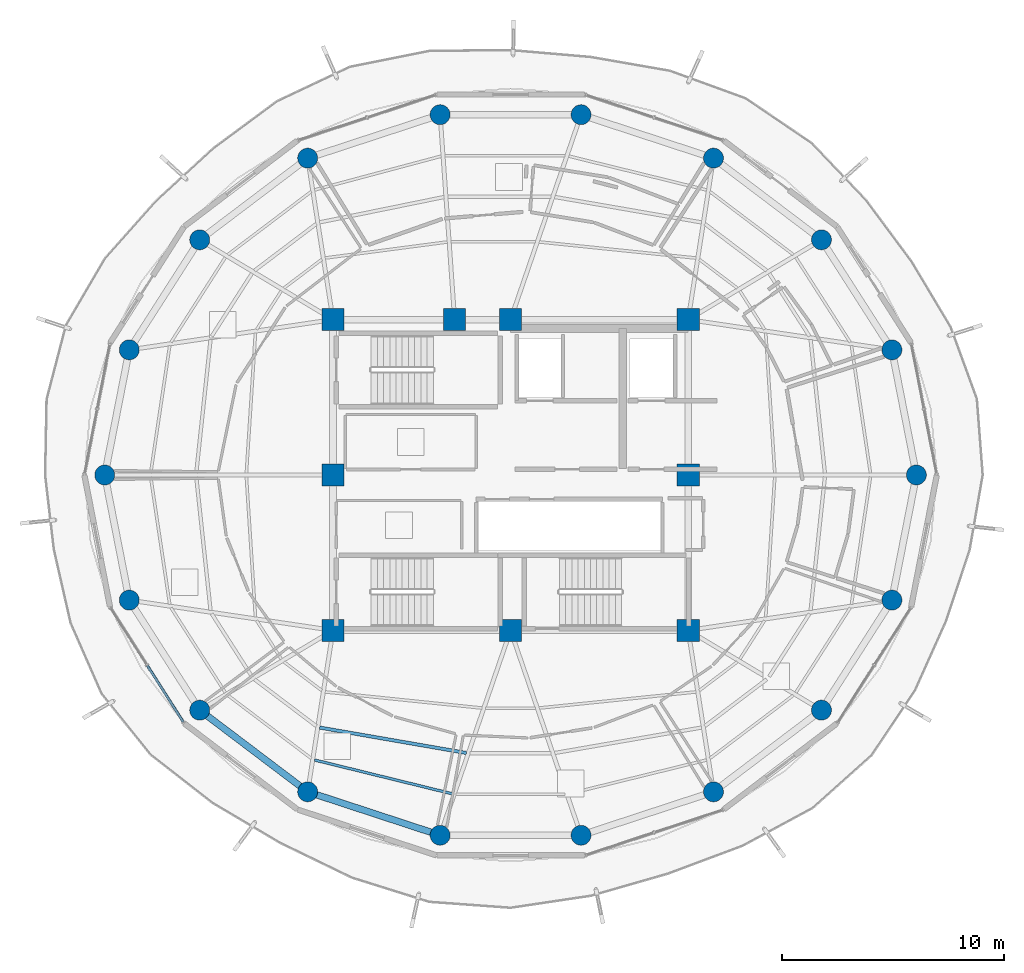
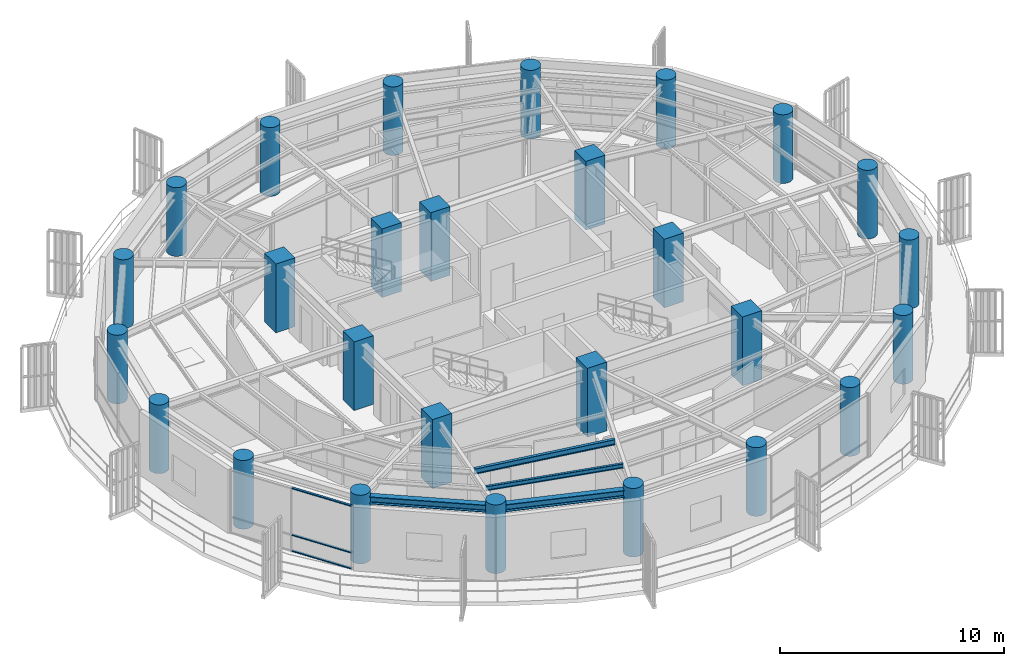
# One storey, part 1 of 22: 27 columns, 4 beams, 3 members, 1 element without a shape of its own.
"""IFC4 building model written with IfcOpenShell, lengths in metres."""

from ifc_helpers import new_model, si_unit, direction, frame, origin, origin_2d, place, context, subcontext, project, spatial, rectangle, hollow_rectangle, circle, i_section, extrude, material, layer, layer_set, material_profile, profile_set, type_object, element, aggregate, save


model = new_model("IFC4")

# Units and contexts
model_context = context("Model", 3, precision=1e-05, world=origin(), true_north=direction((0.0, 1.0)))
body_context = subcontext(model_context, "Body", "Model", "MODEL_VIEW")
ifc_project = project(units=[si_unit("LENGTHUNIT", "METRE"), si_unit("AREAUNIT", "SQUARE_METRE"), si_unit("VOLUMEUNIT", "CUBIC_METRE"), si_unit("PLANEANGLEUNIT", "RADIAN"), si_unit("MASSUNIT", "GRAM", prefix="KILO")], contexts=[model_context])

# Site, building, storey
site_placement = place(None, origin())
site = spatial("IfcSite", under=ifc_project, at=site_placement, CompositionType="ELEMENT")
building_placement = place(site_placement, origin())
building = spatial("IfcBuilding", under=site, at=building_placement, Name="Kelanora Arch Commons", CompositionType="ELEMENT")
storey_placement = place(building_placement, frame((0.0, 0.0, 259.949951171875)))
storey = spatial("IfcBuildingStorey", under=building, at=storey_placement, Name="L66", CompositionType="ELEMENT", Elevation=259.949951171875)

# Columns
ifc_material_1 = material(Name="Concrete C50/60", Category="concrete")
ifc_material_profile_1 = material_profile(ifc_material_1, circle(Radius=0.449951171875, at=origin_2d()), Name="RCC900")
ifc_profile_set_1 = profile_set([ifc_material_profile_1], Name="Concrete C50/60")
column_type_1 = type_object("IfcColumnType", Name="COL-PERIM-Z5", PredefinedType="COLUMN", material=ifc_profile_set_1)
for number, where, z_axis, x_axis, name in (
    (1, (92.280029296875, 58.0, 0.0), (0.0, 0.0, 1.0), (1.0, 0.0, 0.0), "Perimeter Ring Column CP-00 L66"),
    (2, (91.177490234375, 63.636474609375, 0.0), (0.0, 0.0, 1.0), (1.0, 0.0, 0.0), "Perimeter Ring Column CP-02 L66"),
    (3, (88.00341796875, 68.593017578125, 0.0), (0.0, 0.0, 1.0), (1.0, 0.0, 0.0), "Perimeter Ring Column CP-04 L66"),
    (4, (83.139892578125, 72.272216796875, 0.0), (0.0, 0.0, 1.0), (1.0, 0.0, 0.0), "Perimeter Ring Column CP-06 L66"),
    (5, (77.17431640625, 74.2294921875, 0.0), (0.0, 0.0, 1.0), (1.0, 0.0, 0.0), "Perimeter Ring Column CP-08 L66"),
    (6, (70.82568359375, 74.2294921875, 0.0), (0.0, 0.0, 1.0), (1.0, 0.0, 0.0), "Perimeter Ring Column CP-10 L66"),
    (7, (64.860107421875, 72.272216796875, 0.0), (0.0, 0.0, 1.0), (1.0, 0.0, 0.0), "Perimeter Ring Column CP-12 L66"),
    (8, (59.99658203125, 68.593017578125, 0.0), (0.0, 0.0, 1.0), (1.0, 0.0, 0.0), "Perimeter Ring Column CP-14 L66"),
    (9, (56.822509765625, 63.636474609375, 0.0), (0.0, 0.0, 1.0), (1.0, 0.0, 0.0), "Perimeter Ring Column CP-16 L66"),
    (10, (55.719970703125, 58.0, 0.0), (0.0, 0.0, 1.0), (1.0, 0.0, 0.0), "Perimeter Ring Column CP-18 L66"),
    (11, (56.822509765625, 52.363525390625, 0.0), (0.0, 0.0, 1.0), (1.0, 0.0, 0.0), "Perimeter Ring Column CP-20 L66"),
    (12, (59.99658203125, 47.406982421875, 0.0), (0.0, 0.0, 1.0), (1.0, 0.0, 0.0), "Perimeter Ring Column CP-22 L66"),
    (13, (64.860107421875, 43.727783203125, 0.0), (0.0, 0.0, 1.0), (1.0, 0.0, 0.0), "Perimeter Ring Column CP-24 L66"),
    (14, (70.82568359375, 41.7705078125, 0.0), (0.0, 0.0, 1.0), (1.0, 0.0, 0.0), "Perimeter Ring Column CP-26 L66"),
    (15, (77.17431640625, 41.7705078125, 0.0), (0.0, 0.0, 1.0), (1.0, 0.0, 0.0), "Perimeter Ring Column CP-28 L66"),
    (16, (83.139892578125, 43.727783203125, 0.0), (0.0, 0.0, 1.0), (1.0, 0.0, 0.0), "Perimeter Ring Column CP-30 L66"),
    (17, (88.00341796875, 47.406982421875, 0.0), (0.0, 0.0, 1.0), (1.0, 0.0, 0.0), "Perimeter Ring Column CP-32 L66"),
    (18, (91.177490234375, 52.363525390625, 0.0), (0.0, 0.0, 1.0), (1.0, 0.0, 0.0), "Perimeter Ring Column CP-34 L66"),
):
    element("IfcColumn", number, at=place(storey_placement, frame(where, z_axis=z_axis, x_axis=x_axis)), inside=storey, type_object=column_type_1, Name=name, PredefinedType="COLUMN", context=body_context, shape_type="SweptSolid", body=[
        extrude(circle(Radius=0.449951171875, at=origin_2d()), origin(), (0.0, 0.0, 1.0), 3.75),
    ])
ifc_material_profile_2 = material_profile(ifc_material_1, rectangle(XDim=1.0, YDim=1.0, at=origin_2d()), Name="RC1000x1000")
ifc_profile_set_2 = profile_set([ifc_material_profile_2], Name="Concrete C50/60")
column_type_2 = type_object("IfcColumnType", Name="COL-PIL-HIGH", PredefinedType="PILASTER", material=ifc_profile_set_2)
for number, where, z_axis, x_axis, name in (
    (19, (66.0, 51.0, 0.0), (0.0, 0.0, 1.0), (1.0, 0.0, 0.0), "Core Pilaster Column CP1 L66"),
    (20, (74.0, 51.0, 0.0), (0.0, 0.0, 1.0), (1.0, 0.0, 0.0), "Core Pilaster Column CP2 L66"),
    (21, (82.0, 51.0, 0.0), (0.0, 0.0, 1.0), (1.0, 0.0, 0.0), "Core Pilaster Column CP3 L66"),
    (22, (82.0, 58.0, 0.0), (0.0, 0.0, 1.0), (1.0, 0.0, 0.0), "Core Pilaster Column CP4 L66"),
    (23, (82.0, 65.0, 0.0), (0.0, 0.0, 1.0), (1.0, 0.0, 0.0), "Core Pilaster Column CP5 L66"),
    (24, (74.0, 65.0, 0.0), (0.0, 0.0, 1.0), (1.0, 0.0, 0.0), "Core Pilaster Column CP6 L66"),
    (25, (71.47998046875, 65.0, 0.0), (0.0, 0.0, 1.0), (1.0, 0.0, 0.0), "Core Pilaster Column CP9 L66"),
    (26, (66.0, 65.0, 0.0), (0.0, 0.0, 1.0), (1.0, 0.0, 0.0), "Core Pilaster Column CP7 L66"),
    (27, (66.0, 58.0, 0.0), (0.0, 0.0, 1.0), (1.0, 0.0, 0.0), "Core Pilaster Column CP8 L66"),
):
    element("IfcColumn", number, at=place(storey_placement, frame(where, z_axis=z_axis, x_axis=x_axis)), inside=storey, type_object=column_type_2, Name=name, PredefinedType="PILASTER", context=body_context, shape_type="SweptSolid", body=[
        extrude(rectangle(XDim=1.0, YDim=1.0, at=origin_2d()), origin(), (0.0, 0.0, 1.0), 3.75),
    ])

# Beams
ifc_material_2 = material(Name="Steel S355", Category="steel")
ifc_material_profile_3 = material_profile(ifc_material_2, i_section(OverallWidth=0.14990234375, OverallDepth=0.300048828125, WebThickness=0.007080078125, FlangeThickness=0.0107421875, FilletRadius=0.014892578125, at=origin_2d()), Name="IPE300")
ifc_profile_set_3 = profile_set([ifc_material_profile_3], Name="Steel S355")
beam_type_1 = type_object("IfcBeamType", Name="BM-JST-01", PredefinedType="JOIST", material=ifc_profile_set_3)
beam_1_placement = place(storey_placement, frame((65.39990234375, 46.622314453125, 3.340087890625), z_axis=(0.985321568263, -0.170708544357, 0.0), x_axis=(0.170708544357, 0.985321568263, 0.0)))
element("IfcBeam", 28, at=beam_1_placement, inside=storey, type_object=beam_type_1, Name="Secondary Chord Joist BJB-24 L66", PredefinedType="JOIST", context=body_context, shape_type="SweptSolid", body=[
    extrude(i_section(OverallWidth=0.14990234375, OverallDepth=0.300048828125, WebThickness=0.007080078125, FlangeThickness=0.0107421875, FilletRadius=0.014892578125, at=origin_2d()), origin(), (0.0, 0.0, 1.0), 6.710205078125),
])
ifc_material_profile_4 = material_profile(ifc_material_2, i_section(OverallWidth=0.1201171875, OverallDepth=0.239990234375, WebThickness=0.006103515625, FlangeThickness=0.009765625, FilletRadius=0.014892578125, at=origin_2d()), Name="IPE240")
ifc_profile_set_4 = profile_set([ifc_material_profile_4], Name="Steel S355")
beam_type_2 = type_object("IfcBeamType", Name="BM-JST-02", PredefinedType="JOIST", material=ifc_profile_set_4)
beam_2_placement = place(storey_placement, frame((65.17041015625, 45.162109375, 3.3701171875), z_axis=(0.971109719488, -0.23863342749, 0.0), x_axis=(0.23863342749, 0.971109719488, 0.0)))
element("IfcBeam", 29, at=beam_2_placement, inside=storey, type_object=beam_type_2, Name="Secondary Chord Joist BJC-24 L66", PredefinedType="JOIST", context=body_context, shape_type="SweptSolid", body=[
    extrude(i_section(OverallWidth=0.1201171875, OverallDepth=0.239990234375, WebThickness=0.006103515625, FlangeThickness=0.009765625, FilletRadius=0.014892578125, at=origin_2d()), origin(), (0.0, 0.0, 1.0), 6.39208984375),
])
ifc_material_profile_5 = material_profile(ifc_material_2, i_section(OverallWidth=0.300048828125, OverallDepth=0.39990234375, WebThickness=0.013427734375, FlangeThickness=0.02392578125, FilletRadius=0.027099609375, at=origin_2d()), Name="HEB400")
ifc_profile_set_5 = profile_set([ifc_material_profile_5], Name="Steel S355")
beam_type_3 = type_object("IfcBeamType", Name="BM-SPN-Z4", PredefinedType="SPANDREL", material=ifc_profile_set_5)
beam_3_placement = place(storey_placement, frame((59.99658203125, 47.406982421875, 3.2900390625), z_axis=(0.797509460967, -0.603306439273, 0.0), x_axis=(0.603306439273, 0.797509460967, 0.0)))
element("IfcBeam", 30, at=beam_3_placement, inside=storey, type_object=beam_type_3, Name="Perimeter Spandrel Beam BS-22 L66", PredefinedType="SPANDREL", context=body_context, shape_type="SweptSolid", body=[
    extrude(i_section(OverallWidth=0.300048828125, OverallDepth=0.39990234375, WebThickness=0.013427734375, FlangeThickness=0.02392578125, FilletRadius=0.027099609375, at=origin_2d()), origin(), (0.0, 0.0, 1.0), 6.098388671875),
])
beam_4_placement = place(storey_placement, frame((64.860107421875, 43.727783203125, 3.2900390625), z_axis=(0.950165923039, -0.311744636996, 0.0), x_axis=(0.311744636996, 0.950165923039, 0.0)))
element("IfcBeam", 31, at=beam_4_placement, inside=storey, type_object=beam_type_3, Name="Perimeter Spandrel Beam BS-24 L66", PredefinedType="SPANDREL", context=body_context, shape_type="SweptSolid", body=[
    extrude(i_section(OverallWidth=0.300048828125, OverallDepth=0.39990234375, WebThickness=0.013427734375, FlangeThickness=0.02392578125, FilletRadius=0.027099609375, at=origin_2d()), origin(), (0.0, 0.0, 1.0), 6.278564453125),
])

# Curtain wall, members
ifc_material_3 = material(Name="Terracotta ceramic-fritted low-E glass and aluminium", Category="masonry")
ifc_layer = layer(ifc_material_3, 0.18994140625)
ifc_layer_set = layer_set([ifc_layer], Name="Terracotta ceramic-fritted low-E glass and aluminium")
curtain_wall_type = type_object("IfcCurtainWallType", Name="CW-SYS-03", PredefinedType="NOTDEFINED", material=ifc_layer_set)
curtain_wall_placement = place(storey_placement, origin())
curtain_wall = element("IfcCurtainWall", 32, at=curtain_wall_placement, inside=storey, type_object=curtain_wall_type, Name="Unitised Curtain Wall L66-B10", PredefinedType="NOTDEFINED")
ifc_material_4 = material(Name="Powder-coated aluminium terracotta", Category="masonry")
ifc_material_profile_6 = material_profile(ifc_material_4, hollow_rectangle(XDim=0.1201171875, YDim=0.06005859375, WallThickness=0.0048828125, InnerFilletRadius=0.0048828125, OuterFilletRadius=0.010009765625, at=origin_2d()), Name="CWT120x60")
ifc_profile_set_6 = profile_set([ifc_material_profile_6], Name="Powder-coated aluminium terracotta")
member_type = type_object("IfcMemberType", Name="CWT-STD", PredefinedType="USERDEFINED", material=ifc_profile_set_6)
member_1_placement = place(storey_placement, frame((57.64111328125, 49.40673828125, 0.030029296875), z_axis=(0.537286543791, -0.84339976871, 0.0), x_axis=(0.84339976871, 0.537286543791, 0.0)))
member_1 = element("IfcMember", 33, at=member_1_placement, type_object=member_type, Name="CW-03 transom 2.1", ObjectType="TRANSOM", PredefinedType="USERDEFINED", context=body_context, shape_type="SweptSolid", body=[
    extrude(hollow_rectangle(XDim=0.1201171875, YDim=0.06005859375, WallThickness=0.0048828125, InnerFilletRadius=0.0048828125, OuterFilletRadius=0.010009765625, at=origin_2d()), origin(), (0.0, 0.0, 1.0), 2.997314453125),
])
member_2_placement = place(storey_placement, frame((57.64111328125, 49.40673828125, 0.900146484375), z_axis=(0.537286543791, -0.84339976871, 0.0), x_axis=(0.84339976871, 0.537286543791, 0.0)))
member_2 = element("IfcMember", 34, at=member_2_placement, type_object=member_type, Name="CW-03 transom 2.2", ObjectType="TRANSOM", PredefinedType="USERDEFINED", context=body_context, shape_type="SweptSolid", body=[
    extrude(hollow_rectangle(XDim=0.1201171875, YDim=0.06005859375, WallThickness=0.0048828125, InnerFilletRadius=0.0048828125, OuterFilletRadius=0.010009765625, at=origin_2d()), origin(), (0.0, 0.0, 1.0), 2.997314453125),
])
member_3_placement = place(storey_placement, frame((57.64111328125, 49.40673828125, 3.445068359375), z_axis=(0.537286543791, -0.84339976871, 0.0), x_axis=(0.84339976871, 0.537286543791, 0.0)))
member_3 = element("IfcMember", 35, at=member_3_placement, type_object=member_type, Name="CW-03 transom 2.3", ObjectType="TRANSOM", PredefinedType="USERDEFINED", context=body_context, shape_type="SweptSolid", body=[
    extrude(hollow_rectangle(XDim=0.1201171875, YDim=0.06005859375, WallThickness=0.0048828125, InnerFilletRadius=0.0048828125, OuterFilletRadius=0.010009765625, at=origin_2d()), origin(), (0.0, 0.0, 1.0), 2.997314453125),
])
aggregate(curtain_wall, [member_1, member_2, member_3])

save(model, "model.ifc")
